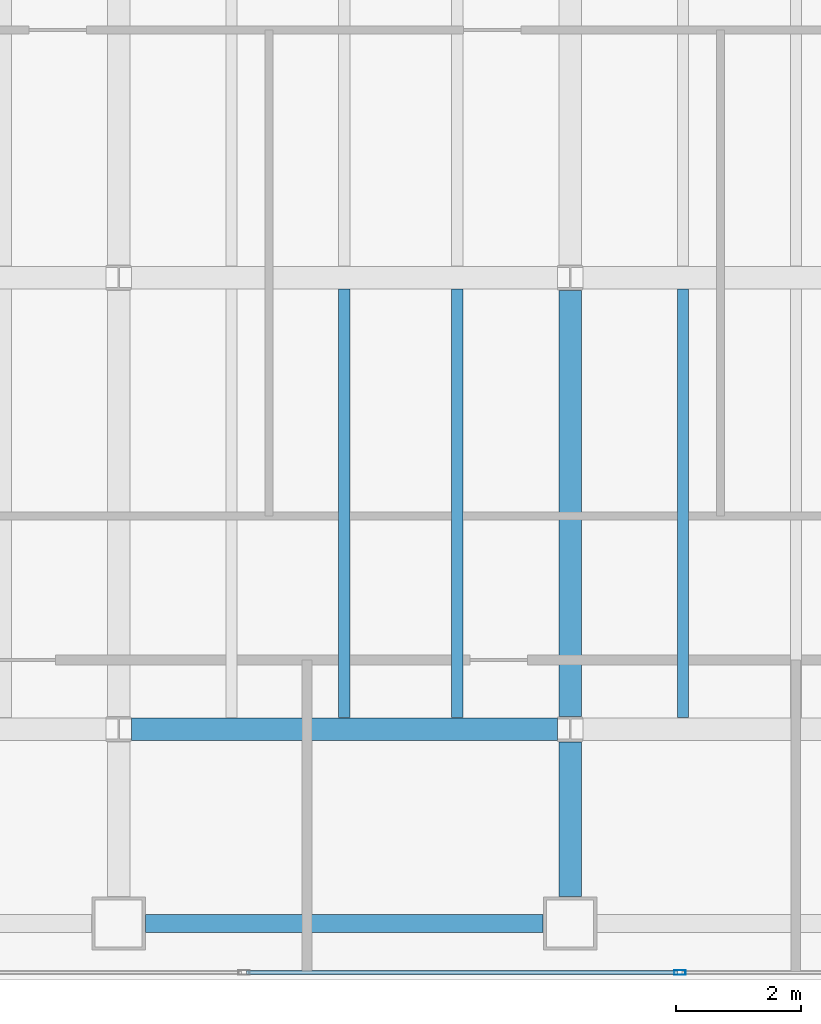
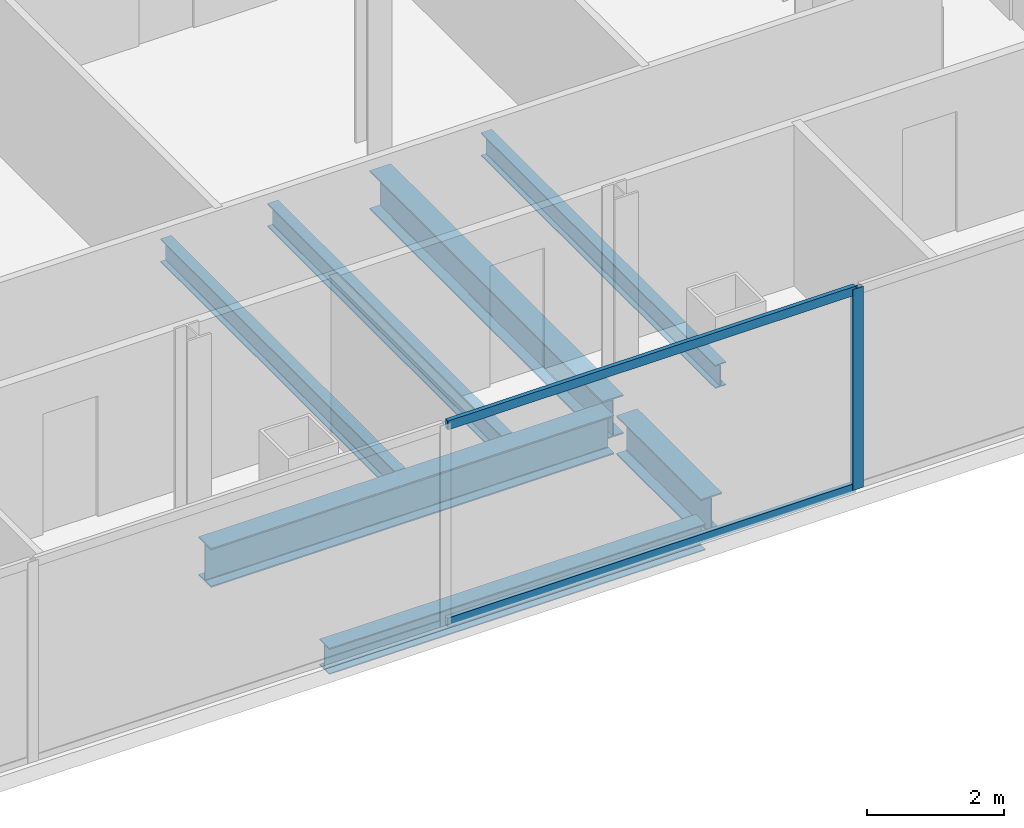
# One storey, part 5 of 23: 7 beams, 3 members, 1 element without a shape of its own.
"""IFC4 building model written with IfcOpenShell, lengths in metres."""

from ifc_helpers import new_model, si_unit, direction, frame, origin, origin_2d, place, context, subcontext, project, spatial, hollow_rectangle, i_section, extrude, material, material_profile, profile_set, type_object, element, aggregate, save


model = new_model("IFC4")

# Units and contexts
model_context = context("Model", 3, precision=1e-05, world=origin(), true_north=direction((0.0, 1.0)))
body_context = subcontext(model_context, "Body", "Model", "MODEL_VIEW")
ifc_project = project(units=[si_unit("LENGTHUNIT", "METRE"), si_unit("AREAUNIT", "SQUARE_METRE"), si_unit("VOLUMEUNIT", "CUBIC_METRE"), si_unit("PLANEANGLEUNIT", "RADIAN"), si_unit("MASSUNIT", "GRAM", prefix="KILO")], contexts=[model_context])

# Site, building, storey
site_placement = place(None, origin())
site = spatial("IfcSite", under=ifc_project, at=site_placement, CompositionType="ELEMENT")
building_placement = place(site_placement, origin())
building = spatial("IfcBuilding", under=site, at=building_placement, Name="Cobrela Telecom Tower", CompositionType="ELEMENT")
storey_placement = place(building_placement, frame((0.0, 0.0, 156.10009765625)))
storey = spatial("IfcBuildingStorey", under=building, at=storey_placement, Name="L39", CompositionType="ELEMENT", Elevation=156.10009765625)

# Beams
ifc_material_1 = material(Name="Steel ASTM A992 Grade 50", Category="steel")
ifc_material_profile_1 = material_profile(ifc_material_1, i_section(OverallWidth=0.35595703125, OverallDepth=0.696044921875, WebThickness=0.015380859375, FlangeThickness=0.024658203125, FilletRadius=0.01806640625, at=origin_2d()), Name="W27X146")
ifc_profile_set_1 = profile_set([ifc_material_profile_1], Name="Steel ASTM A992 Grade 50")
beam_type_1 = type_object("IfcBeamType", Name="BM-GIRD-05", PredefinedType="USERDEFINED", material=ifc_profile_set_1)
beam_1_placement = place(storey_placement, frame((21.804443359375, 7.199951171875, -0.6181640625), z_axis=(1.0, 0.0, 0.0), x_axis=(0.0, 1.0, 0.0)))
element("IfcBeam", 1, at=beam_1_placement, inside=storey, type_object=beam_type_1, Name="L39 Primary Girder X09", ObjectType="GIRDER", PredefinedType="USERDEFINED", context=body_context, shape_type="SweptSolid", body=[
    extrude(i_section(OverallWidth=0.35595703125, OverallDepth=0.696044921875, WebThickness=0.015380859375, FlangeThickness=0.024658203125, FilletRadius=0.01806640625, at=origin_2d()), origin(), (0.0, 0.0, 1.0), 6.791015625),
])
beam_2_placement = place(storey_placement, frame((28.800048828125, 4.530029296875, -0.6181640625), z_axis=(0.0, 1.0, 0.0), x_axis=(-1.0, 0.0, 0.0)))
element("IfcBeam", 2, at=beam_2_placement, inside=storey, type_object=beam_type_1, Name="L39 Primary Girder Y42", ObjectType="GIRDER", PredefinedType="USERDEFINED", context=body_context, shape_type="SweptSolid", body=[
    extrude(i_section(OverallWidth=0.35595703125, OverallDepth=0.696044921875, WebThickness=0.015380859375, FlangeThickness=0.024658203125, FilletRadius=0.01806640625, at=origin_2d()), origin(), (0.0, 0.0, 1.0), 2.465576171875),
])
beam_3_placement = place(storey_placement, frame((28.800048828125, 7.404541015625, -0.6181640625), z_axis=(0.0, 1.0, 0.0), x_axis=(-1.0, 0.0, 0.0)))
element("IfcBeam", 3, at=beam_3_placement, inside=storey, type_object=beam_type_1, Name="L39 Primary Girder Y43", ObjectType="GIRDER", PredefinedType="USERDEFINED", context=body_context, shape_type="SweptSolid", body=[
    extrude(i_section(OverallWidth=0.35595703125, OverallDepth=0.696044921875, WebThickness=0.015380859375, FlangeThickness=0.024658203125, FilletRadius=0.01806640625, at=origin_2d()), origin(), (0.0, 0.0, 1.0), 6.791015625),
])
ifc_material_profile_2 = material_profile(ifc_material_1, i_section(OverallWidth=0.179931640625, OverallDepth=0.4169921875, WebThickness=0.010986328125, FlangeThickness=0.01806640625, FilletRadius=0.011962890625, at=origin_2d()), Name="W16X57")
ifc_profile_set_2 = profile_set([ifc_material_profile_2], Name="Steel ASTM A992 Grade 50")
beam_type_2 = type_object("IfcBeamType", Name="BM-JOIST-04", PredefinedType="JOIST", material=ifc_profile_set_2)
for number, where, z_axis, x_axis, name in (
    (4, (25.199951171875, 7.383056640625, -0.478515625), (0.0, 1.0, 0.0), (-1.0, 0.0, 0.0), "L39 Secondary Composite Floor Beam J23"),
    (5, (27.0, 7.383056640625, -0.478515625), (0.0, 1.0, 0.0), (-1.0, 0.0, 0.0), "L39 Secondary Composite Floor Beam J25"),
    (6, (30.60009765625, 7.383056640625, -0.478515625), (0.0, 1.0, 0.0), (-1.0, 0.0, 0.0), "L39 Secondary Composite Floor Beam J27"),
):
    element("IfcBeam", number, at=place(storey_placement, frame(where, z_axis=z_axis, x_axis=x_axis)), inside=storey, type_object=beam_type_2, Name=name, PredefinedType="JOIST", context=body_context, shape_type="SweptSolid", body=[
        extrude(i_section(OverallWidth=0.179931640625, OverallDepth=0.4169921875, WebThickness=0.010986328125, FlangeThickness=0.01806640625, FilletRadius=0.011962890625, at=origin_2d()), origin(), (0.0, 0.0, 1.0), 6.833984375),
    ])
ifc_material_profile_3 = material_profile(ifc_material_1, i_section(OverallWidth=0.281982421875, OverallDepth=0.467041015625, WebThickness=0.01220703125, FlangeThickness=0.01953125, FilletRadius=0.012939453125, at=origin_2d()), Name="W18X86")
ifc_profile_set_3 = profile_set([ifc_material_profile_3], Name="Steel ASTM A992 Grade 50")
beam_type_3 = type_object("IfcBeamType", Name="BM-SPAND-04", PredefinedType="SPANDREL", material=ifc_profile_set_3)
beam_4_placement = place(storey_placement, frame((22.030029296875, 4.10009765625, -0.503662109375), z_axis=(1.0, 0.0, 0.0), x_axis=(0.0, 1.0, 0.0)))
element("IfcBeam", 7, at=beam_4_placement, inside=storey, type_object=beam_type_3, Name="L39 Perimeter Spandrel X03", PredefinedType="SPANDREL", context=body_context, shape_type="SweptSolid", body=[
    extrude(i_section(OverallWidth=0.281982421875, OverallDepth=0.467041015625, WebThickness=0.01220703125, FlangeThickness=0.01953125, FilletRadius=0.012939453125, at=origin_2d()), origin(), (0.0, 0.0, 1.0), 6.340087890625),
])

# Curtain wall, members
ifc_material_2 = material(Name="Anodized Bronze Aluminium 6063-T6", Category="aluminium")
curtain_wall_type = type_object("IfcCurtainWallType", Name="CW-SYS-TEL", PredefinedType="USERDEFINED", material=ifc_material_2)
curtain_wall_placement = place(storey_placement, origin())
curtain_wall = element("IfcCurtainWall", 8, at=curtain_wall_placement, inside=storey, type_object=curtain_wall_type, Name="L39 Unitised Bronze Curtain Wall 17", ObjectType="UNITISED CURTAIN WALL", PredefinedType="USERDEFINED")
ifc_material_profile_4 = material_profile(ifc_material_2, hollow_rectangle(XDim=0.074951171875, YDim=0.179931640625, WallThickness=0.00390625, at=origin_2d()), Name="ALU 75x180x4")
ifc_profile_set_4 = profile_set([ifc_material_profile_4], Name="Anodized Bronze Aluminium 6063-T6")
member_type_1 = type_object("IfcMemberType", Name="CW-SYS-TEL-MUL", PredefinedType="MULLION", material=ifc_profile_set_4)
member_1_placement = place(storey_placement, frame((30.550048828125, 3.320068359375, 0.0), z_axis=(0.0, 0.0, 1.0), x_axis=(0.0, -1.0, 0.0)))
member_1 = element("IfcMember", 9, at=member_1_placement, type_object=member_type_1, Name="CW-TEL mullion 3", PredefinedType="MULLION", context=body_context, shape_type="SweptSolid", body=[
    extrude(hollow_rectangle(XDim=0.074951171875, YDim=0.179931640625, WallThickness=0.00390625, at=origin_2d()), origin(), (0.0, 0.0, 1.0), 3.579833984375),
])
ifc_material_profile_5 = material_profile(ifc_material_2, hollow_rectangle(XDim=0.070068359375, YDim=0.159912109375, WallThickness=0.00390625, at=origin_2d()), Name="ALU 70x160x4")
ifc_profile_set_5 = profile_set([ifc_material_profile_5], Name="Anodized Bronze Aluminium 6063-T6")
member_type_2 = type_object("IfcMemberType", Name="CW-SYS-TEL-TRN", PredefinedType="USERDEFINED", material=ifc_profile_set_5)
member_2_placement = place(storey_placement, frame((30.512451171875, 3.320068359375, 0.034912109375), z_axis=(-1.0, 0.0, 0.0), x_axis=(0.0, -1.0, 0.0)))
member_2 = element("IfcMember", 10, at=member_2_placement, type_object=member_type_2, Name="CW-TEL transom 3.1", ObjectType="TRANSOM", PredefinedType="USERDEFINED", context=body_context, shape_type="SweptSolid", body=[
    extrude(hollow_rectangle(XDim=0.070068359375, YDim=0.159912109375, WallThickness=0.00390625, at=origin_2d()), origin(), (0.0, 0.0, 1.0), 6.875),
])
member_3_placement = place(storey_placement, frame((30.512451171875, 3.320068359375, 3.544921875), z_axis=(-1.0, 0.0, 0.0), x_axis=(0.0, -1.0, 0.0)))
member_3 = element("IfcMember", 11, at=member_3_placement, type_object=member_type_2, Name="CW-TEL transom 3.2", ObjectType="TRANSOM", PredefinedType="USERDEFINED", context=body_context, shape_type="SweptSolid", body=[
    extrude(hollow_rectangle(XDim=0.070068359375, YDim=0.159912109375, WallThickness=0.00390625, at=origin_2d()), origin(), (0.0, 0.0, 1.0), 6.875),
])
aggregate(curtain_wall, [member_1, member_2, member_3])

save(model, "model.ifc")
